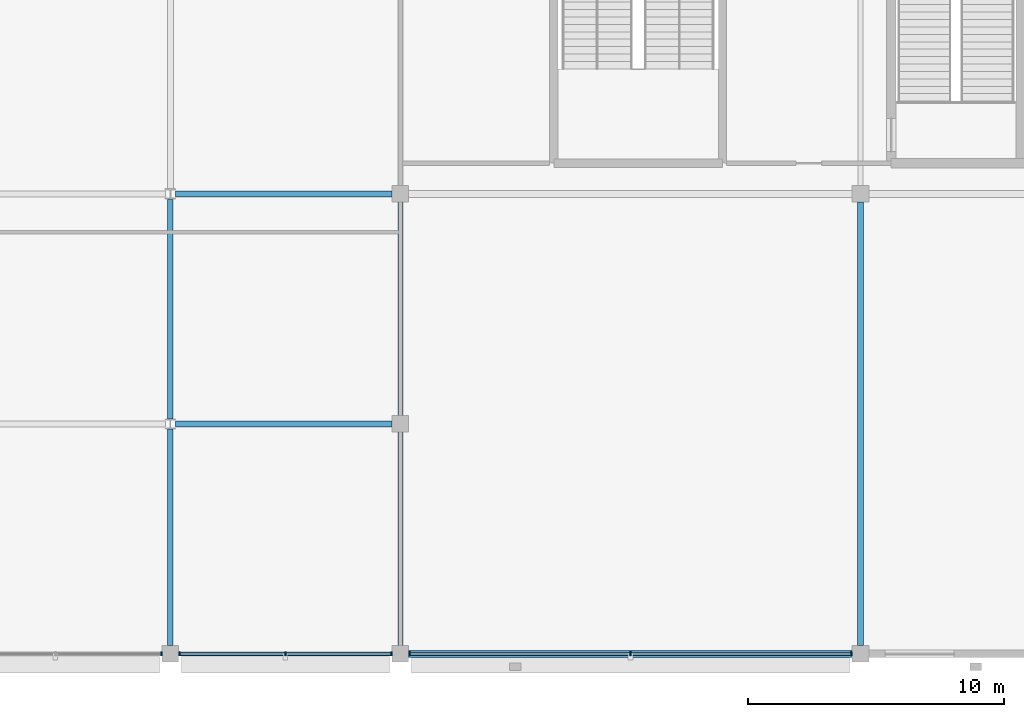
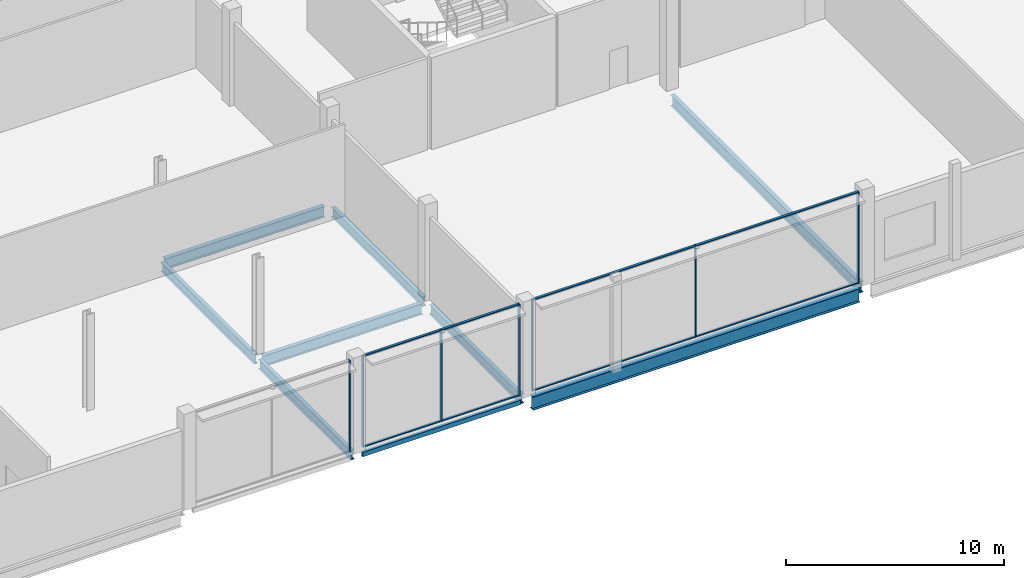
# One storey, part 15 of 111: 15 members, 9 beams, 3 elements without a shape of their own.
"""IFC4 building model written with IfcOpenShell, lengths in metres."""

from ifc_helpers import new_model, si_unit, direction, frame, origin, origin_2d, place, context, subcontext, project, spatial, rectangle, hollow_rectangle, i_section, extrude, material, layer, layer_set, material_profile, profile_set, type_object, element, aggregate, save


model = new_model("IFC4")

# Units and contexts
model_context = context("Model", 3, precision=1e-05, world=origin(), true_north=direction((0.0, 1.0)))
body_context = subcontext(model_context, "Body", "Model", "MODEL_VIEW")
ifc_project = project(units=[si_unit("LENGTHUNIT", "METRE"), si_unit("AREAUNIT", "SQUARE_METRE"), si_unit("VOLUMEUNIT", "CUBIC_METRE"), si_unit("PLANEANGLEUNIT", "RADIAN"), si_unit("MASSUNIT", "GRAM", prefix="KILO")], contexts=[model_context])

# Site, building, storey
site_placement = place(None, origin())
site = spatial("IfcSite", under=ifc_project, at=site_placement, CompositionType="ELEMENT")
building_placement = place(site_placement, origin())
building = spatial("IfcBuilding", under=site, at=building_placement, Name="Kisiwana Market Hall", CompositionType="ELEMENT")
storey_placement = place(building_placement, frame((0.0, 0.0, 11.39990234375)))
storey = spatial("IfcBuildingStorey", under=building, at=storey_placement, Name="L02", CompositionType="ELEMENT", Elevation=11.39990234375)

# Beams
ifc_material_1 = material(Name="Steel S355", Category="steel")
ifc_material_profile_1 = material_profile(ifc_material_1, i_section(OverallWidth=0.209228515625, OverallDepth=0.533203125, WebThickness=0.010009765625, FlangeThickness=0.015625, at=origin_2d()), Name="UB 533x210x92")
ifc_profile_set_1 = profile_set([ifc_material_profile_1], Name="Steel S355")
beam_type_1 = type_object("IfcBeamType", Name="BM-GIRD-UB533", PredefinedType="BEAM", material=ifc_profile_set_1)
beam_1_placement = place(storey_placement, frame((36.0, 0.321044921875, -0.516357421875), z_axis=(0.0, 1.0, 0.0), x_axis=(-1.0, 0.0, 0.0)))
element("IfcBeam", 1, at=beam_1_placement, inside=storey, type_object=beam_type_1, Name="Primary girder B-0615", PredefinedType="BEAM", context=body_context, shape_type="SweptSolid", body=[
    extrude(i_section(OverallWidth=0.209228515625, OverallDepth=0.533203125, WebThickness=0.010009765625, FlangeThickness=0.015625, at=origin_2d()), origin(), (0.0, 0.0, 1.0), 8.479736328125),
])
beam_2_placement = place(storey_placement, frame((36.0, 9.19921875, -0.516357421875), z_axis=(0.0, 1.0, 0.0), x_axis=(-1.0, 0.0, 0.0)))
element("IfcBeam", 2, at=beam_2_placement, inside=storey, type_object=beam_type_1, Name="Primary girder B-0616", PredefinedType="BEAM", context=body_context, shape_type="SweptSolid", body=[
    extrude(i_section(OverallWidth=0.209228515625, OverallDepth=0.533203125, WebThickness=0.010009765625, FlangeThickness=0.015625, at=origin_2d()), origin(), (0.0, 0.0, 1.0), 8.58740234375),
])
for number, where, z_axis, x_axis, name in (
    (3, (45.0, 0.321044921875, -0.516357421875), (0.0, 1.0, 0.0), (-1.0, 0.0, 0.0), "Primary girder B-0623"),
    (4, (45.0, 9.321044921875, -0.516357421875), (0.0, 1.0, 0.0), (-1.0, 0.0, 0.0), "Primary girder B-0624"),
):
    element("IfcBeam", number, at=place(storey_placement, frame(where, z_axis=z_axis, x_axis=x_axis)), inside=storey, type_object=beam_type_1, Name=name, PredefinedType="BEAM", context=body_context, shape_type="SweptSolid", body=[
        extrude(i_section(OverallWidth=0.209228515625, OverallDepth=0.533203125, WebThickness=0.010009765625, FlangeThickness=0.015625, at=origin_2d()), origin(), (0.0, 0.0, 1.0), 8.35791015625),
    ])
ifc_material_2 = material(Name="Steel S355", Category="steel")
ifc_material_profile_2 = material_profile(ifc_material_2, i_section(OverallWidth=0.22900390625, OverallDepth=0.6123046875, WebThickness=0.011962890625, FlangeThickness=0.01953125, at=origin_2d()), Name="UB 610x229x125")
ifc_profile_set_2 = profile_set([ifc_material_profile_2], Name="Steel S355")
beam_type_2 = type_object("IfcBeamType", Name="BM-GIRD-UB610H", PredefinedType="BEAM", material=ifc_profile_set_2)
beam_3_placement = place(storey_placement, frame((36.197509765625, 9.0, -0.555908203125), z_axis=(1.0, 0.0, 0.0), x_axis=(0.0, 1.0, 0.0)))
element("IfcBeam", 5, at=beam_3_placement, inside=storey, type_object=beam_type_2, Name="Floor beam B-0736", PredefinedType="BEAM", context=body_context, shape_type="SweptSolid", body=[
    extrude(i_section(OverallWidth=0.22900390625, OverallDepth=0.6123046875, WebThickness=0.011962890625, FlangeThickness=0.01953125, at=origin_2d()), origin(), (0.0, 0.0, 1.0), 8.4814453125),
])
beam_4_placement = place(storey_placement, frame((36.201904296875, 18.0, -0.555908203125), z_axis=(1.0, 0.0, 0.0), x_axis=(0.0, 1.0, 0.0)))
element("IfcBeam", 6, at=beam_4_placement, inside=storey, type_object=beam_type_2, Name="Floor beam B-0744", PredefinedType="BEAM", context=body_context, shape_type="SweptSolid", body=[
    extrude(i_section(OverallWidth=0.22900390625, OverallDepth=0.6123046875, WebThickness=0.011962890625, FlangeThickness=0.01953125, at=origin_2d()), origin(), (0.0, 0.0, 1.0), 8.47705078125),
])
beam_5_placement = place(storey_placement, frame((63.0, 0.321044921875, -0.555908203125), z_axis=(0.0, 1.0, 0.0), x_axis=(-1.0, 0.0, 0.0)))
element("IfcBeam", 7, at=beam_5_placement, inside=storey, type_object=beam_type_2, Name="Primary girder B-0631", PredefinedType="BEAM", context=body_context, shape_type="SweptSolid", body=[
    extrude(i_section(OverallWidth=0.22900390625, OverallDepth=0.6123046875, WebThickness=0.011962890625, FlangeThickness=0.01953125, at=origin_2d()), origin(), (0.0, 0.0, 1.0), 17.35791015625),
])
ifc_material_3 = material(Name="Steel S355", Category="steel")
ifc_material_profile_3 = material_profile(ifc_material_3, i_section(OverallWidth=0.2666015625, OverallDepth=0.76220703125, WebThickness=0.014404296875, FlangeThickness=0.021484375, at=origin_2d()), Name="UB 762x267x173")
ifc_profile_set_3 = profile_set([ifc_material_profile_3], Name="Steel S355")
beam_type_3 = type_object("IfcBeamType", Name="BM-GIRD-UB762", PredefinedType="BEAM", material=ifc_profile_set_3)
beam_6_placement = place(storey_placement, frame((45.321044921875, 0.0, -0.631103515625), z_axis=(1.0, 0.0, 0.0), x_axis=(0.0, 1.0, 0.0)))
element("IfcBeam", 8, at=beam_6_placement, inside=storey, type_object=beam_type_3, Name="Floor beam B-0723", PredefinedType="BEAM", context=body_context, shape_type="SweptSolid", body=[
    extrude(i_section(OverallWidth=0.2666015625, OverallDepth=0.76220703125, WebThickness=0.014404296875, FlangeThickness=0.021484375, at=origin_2d()), origin(), (0.0, 0.0, 1.0), 17.35791015625),
])
ifc_material_4 = material(Name="Steel S355", Category="steel")
ifc_material_profile_4 = material_profile(ifc_material_4, hollow_rectangle(XDim=0.14990234375, YDim=0.25, WallThickness=0.010009765625, at=origin_2d()), Name="RHS 250x150x10.0")
ifc_profile_set_4 = profile_set([ifc_material_profile_4], Name="Steel S355")
beam_type_4 = type_object("IfcBeamType", Name="BM-SPAN-RHS250", PredefinedType="SPANDREL", material=ifc_profile_set_4)
beam_7_placement = place(storey_placement, frame((36.321044921875, 0.0, -0.375), z_axis=(1.0, 0.0, 0.0), x_axis=(0.0, 1.0, 0.0)))
element("IfcBeam", 9, at=beam_7_placement, inside=storey, type_object=beam_type_4, Name="Floor beam B-0722", PredefinedType="SPANDREL", context=body_context, shape_type="SweptSolid", body=[
    extrude(hollow_rectangle(XDim=0.14990234375, YDim=0.25, WallThickness=0.010009765625, at=origin_2d()), origin(), (0.0, 0.0, 1.0), 8.35791015625),
])

# Curtain wall, member
ifc_material_5 = material(Name="Double-glazed solar-control low-E IGU", Category="glass")
ifc_layer = layer(ifc_material_5, 0.159912109375)
ifc_layer_set = layer_set([ifc_layer], Name="CW-GLD-W-6400")
curtain_wall_type = type_object("IfcCurtainWallType", Name="CW-GLD-W-6400", PredefinedType="USERDEFINED", material=ifc_layer_set)
curtain_wall_1_placement = place(storey_placement, origin())
curtain_wall_1 = element("IfcCurtainWall", 10, at=curtain_wall_1_placement, inside=storey, type_object=curtain_wall_type, Name="Unitised curtain wall CW-054 (L02)", ObjectType="UNITISED CURTAIN WALL", PredefinedType="USERDEFINED")
ifc_material_6 = material(Name="Aluminium alloy 6063-T6", Category="aluminium")
ifc_material_profile_5 = material_profile(ifc_material_6, rectangle(XDim=0.06005859375, YDim=0.159912109375, at=origin_2d()), Name="ALU MULLION 60x160")
ifc_profile_set_5 = profile_set([ifc_material_profile_5], Name="Aluminium alloy 6063-T6")
member_type_1 = type_object("IfcMemberType", Name="CW-MULL-60x160", PredefinedType="MULLION", material=ifc_profile_set_5)
member_1_placement = place(storey_placement, frame((35.64501953125, 0.0, 0.0), z_axis=(0.0, 0.0, 1.0), x_axis=(1.0, 0.0, 0.0)))
member_1 = element("IfcMember", 11, at=member_1_placement, type_object=member_type_1, Name="CW-054 mullion 3", PredefinedType="MULLION", context=body_context, shape_type="SweptSolid", body=[
    extrude(rectangle(XDim=0.06005859375, YDim=0.159912109375, at=origin_2d()), origin(), (0.0, 0.0, 1.0), 5.150146484375),
])
aggregate(curtain_wall_1, [member_1])

# Curtain wall, members
curtain_wall_2_placement = place(storey_placement, origin())
curtain_wall_2 = element("IfcCurtainWall", 12, at=curtain_wall_2_placement, inside=storey, type_object=curtain_wall_type, Name="Unitised curtain wall CW-055 (L02)", ObjectType="UNITISED CURTAIN WALL", PredefinedType="USERDEFINED")
member_2_placement = place(storey_placement, frame((36.35498046875, 0.0, 0.0), z_axis=(0.0, 0.0, 1.0), x_axis=(1.0, 0.0, 0.0)))
member_2 = element("IfcMember", 13, at=member_2_placement, type_object=member_type_1, Name="CW-055 mullion 1", PredefinedType="MULLION", context=body_context, shape_type="SweptSolid", body=[
    extrude(rectangle(XDim=0.06005859375, YDim=0.159912109375, at=origin_2d()), origin(), (0.0, 0.0, 1.0), 5.150146484375),
])
member_3_placement = place(storey_placement, frame((40.5, 0.0, 0.0), z_axis=(0.0, 0.0, 1.0), x_axis=(1.0, 0.0, 0.0)))
member_3 = element("IfcMember", 14, at=member_3_placement, type_object=member_type_1, Name="CW-055 mullion 2", PredefinedType="MULLION", context=body_context, shape_type="SweptSolid", body=[
    extrude(rectangle(XDim=0.06005859375, YDim=0.159912109375, at=origin_2d()), origin(), (0.0, 0.0, 1.0), 5.150146484375),
])
member_4_placement = place(storey_placement, frame((44.64501953125, 0.0, 0.0), z_axis=(0.0, 0.0, 1.0), x_axis=(1.0, 0.0, 0.0)))
member_4 = element("IfcMember", 15, at=member_4_placement, type_object=member_type_1, Name="CW-055 mullion 3", PredefinedType="MULLION", context=body_context, shape_type="SweptSolid", body=[
    extrude(rectangle(XDim=0.06005859375, YDim=0.159912109375, at=origin_2d()), origin(), (0.0, 0.0, 1.0), 5.150146484375),
])

curtain_wall_3_placement = place(storey_placement, origin())
curtain_wall_3 = element("IfcCurtainWall", 16, at=curtain_wall_3_placement, inside=storey, type_object=curtain_wall_type, Name="Unitised curtain wall CW-056 (L02)", ObjectType="UNITISED CURTAIN WALL", PredefinedType="USERDEFINED")
member_5_placement = place(storey_placement, frame((45.35498046875, 0.0, 0.0), z_axis=(0.0, 0.0, 1.0), x_axis=(1.0, 0.0, 0.0)))
member_5 = element("IfcMember", 17, at=member_5_placement, type_object=member_type_1, Name="CW-056 mullion 1", PredefinedType="MULLION", context=body_context, shape_type="SweptSolid", body=[
    extrude(rectangle(XDim=0.06005859375, YDim=0.159912109375, at=origin_2d()), origin(), (0.0, 0.0, 1.0), 5.150146484375),
])
member_6_placement = place(storey_placement, frame((54.0, 0.0, 0.0), z_axis=(0.0, 0.0, 1.0), x_axis=(1.0, 0.0, 0.0)))
member_6 = element("IfcMember", 18, at=member_6_placement, type_object=member_type_1, Name="CW-056 mullion 2", PredefinedType="MULLION", context=body_context, shape_type="SweptSolid", body=[
    extrude(rectangle(XDim=0.06005859375, YDim=0.159912109375, at=origin_2d()), origin(), (0.0, 0.0, 1.0), 5.150146484375),
])
member_7_placement = place(storey_placement, frame((62.64501953125, 0.0, 0.0), z_axis=(0.0, 0.0, 1.0), x_axis=(1.0, 0.0, 0.0)))
member_7 = element("IfcMember", 19, at=member_7_placement, type_object=member_type_1, Name="CW-056 mullion 3", PredefinedType="MULLION", context=body_context, shape_type="SweptSolid", body=[
    extrude(rectangle(XDim=0.06005859375, YDim=0.159912109375, at=origin_2d()), origin(), (0.0, 0.0, 1.0), 5.150146484375),
])

# Member
ifc_material_7 = material(Name="Aluminium alloy 6063-T6", Category="aluminium")
ifc_material_profile_6 = material_profile(ifc_material_7, rectangle(XDim=0.1201171875, YDim=0.06005859375, at=origin_2d()), Name="ALU TRANSOM 60x120")
ifc_profile_set_6 = profile_set([ifc_material_profile_6], Name="Aluminium alloy 6063-T6")
member_type_2 = type_object("IfcMemberType", Name="CW-TRAN-60x120", PredefinedType="USERDEFINED", material=ifc_profile_set_6)
member_8_placement = place(storey_placement, frame((36.385009765625, 0.0, 0.030029296875), z_axis=(1.0, 0.0, 0.0), x_axis=(0.0, 1.0, 0.0)))
member_8 = element("IfcMember", 20, at=member_8_placement, type_object=member_type_2, Name="CW-055 transom 1.1", ObjectType="TRANSOM", PredefinedType="USERDEFINED", context=body_context, shape_type="SweptSolid", body=[
    extrude(rectangle(XDim=0.1201171875, YDim=0.06005859375, at=origin_2d()), origin(), (0.0, 0.0, 1.0), 4.0849609375),
])

member_9_placement = place(storey_placement, frame((36.385009765625, 0.0, 5.1201171875), z_axis=(1.0, 0.0, 0.0), x_axis=(0.0, 1.0, 0.0)))
member_9 = element("IfcMember", 21, at=member_9_placement, type_object=member_type_2, Name="CW-055 transom 1.2", ObjectType="TRANSOM", PredefinedType="USERDEFINED", context=body_context, shape_type="SweptSolid", body=[
    extrude(rectangle(XDim=0.1201171875, YDim=0.06005859375, at=origin_2d()), origin(), (0.0, 0.0, 1.0), 4.0849609375),
])

member_10_placement = place(storey_placement, frame((40.530029296875, 0.0, 0.030029296875), z_axis=(1.0, 0.0, 0.0), x_axis=(0.0, 1.0, 0.0)))
member_10 = element("IfcMember", 22, at=member_10_placement, type_object=member_type_2, Name="CW-055 transom 2.1", ObjectType="TRANSOM", PredefinedType="USERDEFINED", context=body_context, shape_type="SweptSolid", body=[
    extrude(rectangle(XDim=0.1201171875, YDim=0.06005859375, at=origin_2d()), origin(), (0.0, 0.0, 1.0), 4.0849609375),
])

member_11_placement = place(storey_placement, frame((40.530029296875, 0.0, 5.1201171875), z_axis=(1.0, 0.0, 0.0), x_axis=(0.0, 1.0, 0.0)))
member_11 = element("IfcMember", 23, at=member_11_placement, type_object=member_type_2, Name="CW-055 transom 2.2", ObjectType="TRANSOM", PredefinedType="USERDEFINED", context=body_context, shape_type="SweptSolid", body=[
    extrude(rectangle(XDim=0.1201171875, YDim=0.06005859375, at=origin_2d()), origin(), (0.0, 0.0, 1.0), 4.0849609375),
])

aggregate(curtain_wall_2, [member_2, member_3, member_4, member_8, member_9, member_10, member_11])

member_12_placement = place(storey_placement, frame((45.385009765625, 0.0, 0.030029296875), z_axis=(1.0, 0.0, 0.0), x_axis=(0.0, 1.0, 0.0)))
member_12 = element("IfcMember", 24, at=member_12_placement, type_object=member_type_2, Name="CW-056 transom 1.1", ObjectType="TRANSOM", PredefinedType="USERDEFINED", context=body_context, shape_type="SweptSolid", body=[
    extrude(rectangle(XDim=0.1201171875, YDim=0.06005859375, at=origin_2d()), origin(), (0.0, 0.0, 1.0), 8.5849609375),
])

member_13_placement = place(storey_placement, frame((45.385009765625, 0.0, 5.1201171875), z_axis=(1.0, 0.0, 0.0), x_axis=(0.0, 1.0, 0.0)))
member_13 = element("IfcMember", 25, at=member_13_placement, type_object=member_type_2, Name="CW-056 transom 1.2", ObjectType="TRANSOM", PredefinedType="USERDEFINED", context=body_context, shape_type="SweptSolid", body=[
    extrude(rectangle(XDim=0.1201171875, YDim=0.06005859375, at=origin_2d()), origin(), (0.0, 0.0, 1.0), 8.5849609375),
])

member_14_placement = place(storey_placement, frame((54.030029296875, 0.0, 0.030029296875), z_axis=(1.0, 0.0, 0.0), x_axis=(0.0, 1.0, 0.0)))
member_14 = element("IfcMember", 26, at=member_14_placement, type_object=member_type_2, Name="CW-056 transom 2.1", ObjectType="TRANSOM", PredefinedType="USERDEFINED", context=body_context, shape_type="SweptSolid", body=[
    extrude(rectangle(XDim=0.1201171875, YDim=0.06005859375, at=origin_2d()), origin(), (0.0, 0.0, 1.0), 8.5849609375),
])

member_15_placement = place(storey_placement, frame((54.030029296875, 0.0, 5.1201171875), z_axis=(1.0, 0.0, 0.0), x_axis=(0.0, 1.0, 0.0)))
member_15 = element("IfcMember", 27, at=member_15_placement, type_object=member_type_2, Name="CW-056 transom 2.2", ObjectType="TRANSOM", PredefinedType="USERDEFINED", context=body_context, shape_type="SweptSolid", body=[
    extrude(rectangle(XDim=0.1201171875, YDim=0.06005859375, at=origin_2d()), origin(), (0.0, 0.0, 1.0), 8.5849609375),
])

aggregate(curtain_wall_3, [member_5, member_6, member_7, member_12, member_13, member_14, member_15])

save(model, "model.ifc")
